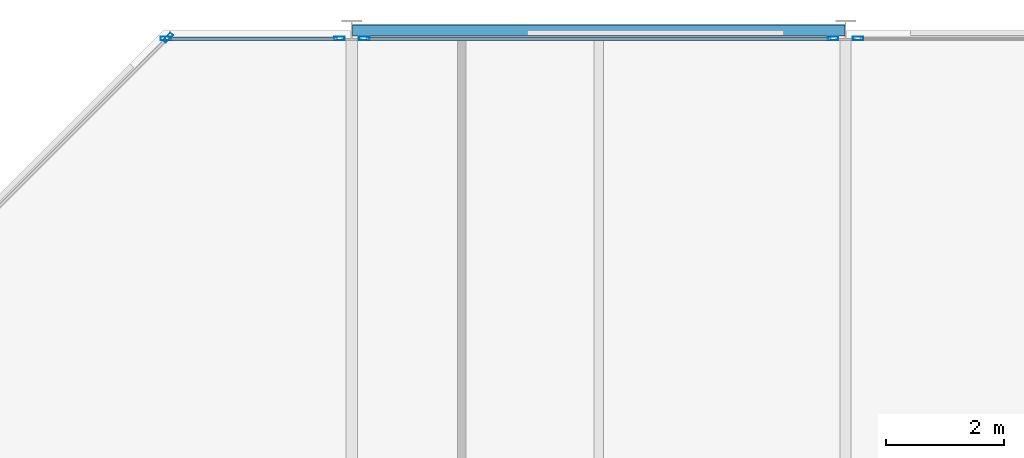
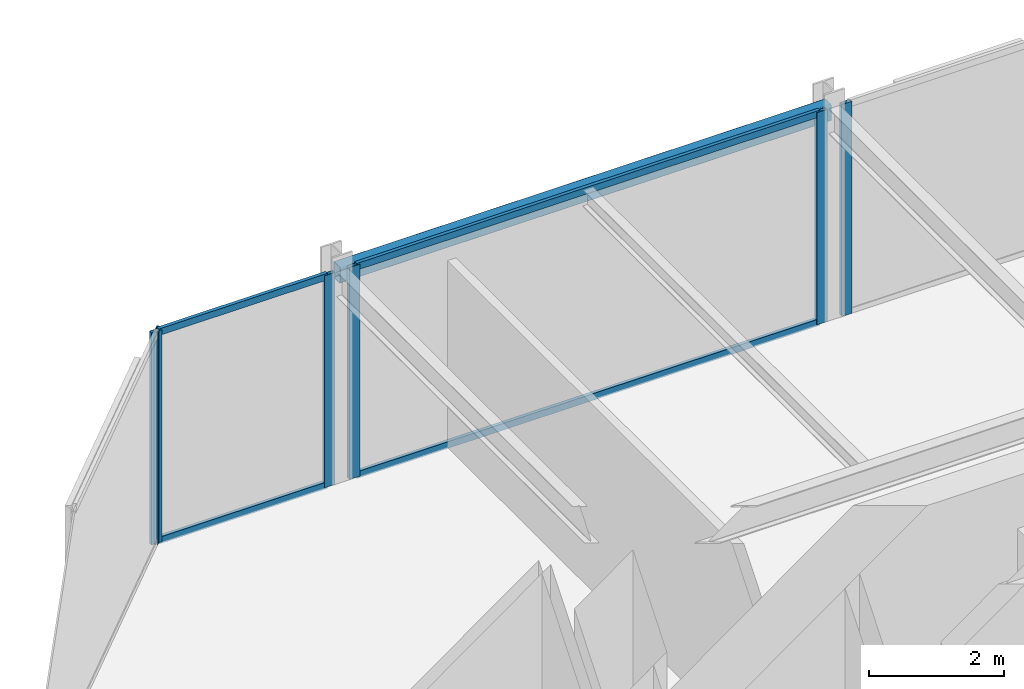
# One storey, part 20 of 29: 10 members, 1 beam, 4 elements without a shape of their own.
"""IFC4 building model written with IfcOpenShell, lengths in metres."""

from ifc_helpers import new_model, si_unit, direction, frame, origin, origin_2d, place, context, subcontext, project, spatial, hollow_rectangle, extrude, material, layer, layer_set, material_profile, profile_set, type_object, element, aggregate, save


model = new_model("IFC4")

# Units and contexts
model_context = context("Model", 3, precision=1e-05, world=origin(), true_north=direction((0.0, 1.0)))
body_context = subcontext(model_context, "Body", "Model", "MODEL_VIEW")
ifc_project = project(units=[si_unit("LENGTHUNIT", "METRE"), si_unit("AREAUNIT", "SQUARE_METRE"), si_unit("VOLUMEUNIT", "CUBIC_METRE"), si_unit("PLANEANGLEUNIT", "RADIAN"), si_unit("MASSUNIT", "GRAM", prefix="KILO")], contexts=[model_context])

# Site, building, storey
site_placement = place(None, origin())
site = spatial("IfcSite", under=ifc_project, at=site_placement, CompositionType="ELEMENT")
building_placement = place(site_placement, origin())
building = spatial("IfcBuilding", under=site, at=building_placement, Name="Nerrivon Quay Data Exchange", CompositionType="ELEMENT")
storey_placement = place(building_placement, frame((0.0, 0.0, 175.5)))
storey = spatial("IfcBuildingStorey", under=building, at=storey_placement, Name="L41", CompositionType="ELEMENT", Elevation=175.5)

# Beam
ifc_material_1 = material(Name="Steel Grade C350L0 (350 MPa)", Category="steel")
ifc_material_profile_1 = material_profile(ifc_material_1, hollow_rectangle(XDim=0.199951171875, YDim=0.300048828125, WallThickness=0.012451171875, InnerFilletRadius=0.018798828125, OuterFilletRadius=0.03125, at=origin_2d()), Name="300x200x12.5RHS")
ifc_profile_set_1 = profile_set([ifc_material_profile_1], Name="Steel Grade C350L0 (350 MPa)")
beam_type = type_object("IfcBeamType", Name="BM-SP3-300x200RHS", PredefinedType="SPANDREL", material=ifc_profile_set_1)
beam_placement = place(storey_placement, frame((8.409912109375, 50.39990234375, 3.675048828125), z_axis=(1.0, 0.0, 0.0), x_axis=(0.0, 1.0, 0.0)))
element("IfcBeam", 1, at=beam_placement, inside=storey, type_object=beam_type, Name="L41 EW Girder Y=50.4 (8.4..16.8)", PredefinedType="SPANDREL", context=body_context, shape_type="SweptSolid", body=[
    extrude(hollow_rectangle(XDim=0.199951171875, YDim=0.300048828125, WallThickness=0.012451171875, InnerFilletRadius=0.018798828125, OuterFilletRadius=0.03125, at=origin_2d()), origin(), (0.0, 0.0, 1.0), 8.380126953125),
])

# Curtain wall, member
ifc_material_2 = material(Name="Anodised aluminium 6063-T6", Category="aluminium")
ifc_layer = layer(ifc_material_2, 0.195068359375)
ifc_layer_set = layer_set([ifc_layer], Name="Anodised aluminium 6063-T6")
curtain_wall_type = type_object("IfcCurtainWallType", Name="CW-SYS-06", PredefinedType="NOTDEFINED", material=ifc_layer_set)
curtain_wall_1_placement = place(storey_placement, origin())
curtain_wall_1 = element("IfcCurtainWall", 2, at=curtain_wall_1_placement, inside=storey, type_object=curtain_wall_type, Name="L41 Unitised Curtain Wall 7", PredefinedType="NOTDEFINED")
ifc_material_profile_2 = material_profile(ifc_material_2, hollow_rectangle(XDim=0.06494140625, YDim=0.179931640625, WallThickness=0.00341796875, at=origin_2d()), Name="ALU-MULL-180x65")
ifc_profile_set_2 = profile_set([ifc_material_profile_2], Name="Anodised aluminium 6063-T6")
member_type_1 = type_object("IfcMemberType", Name="CWM-180x65", PredefinedType="MULLION", material=ifc_profile_set_2)
member_1_placement = place(storey_placement, frame((5.2724609375, 50.2744140625, 0.0), z_axis=(0.0, 0.0, 1.0), x_axis=(-0.707106781187, 0.707106781187, 0.0)))
member_1 = element("IfcMember", 3, at=member_1_placement, type_object=member_type_1, Name="CW06 mullion 2", PredefinedType="MULLION", context=body_context, shape_type="SweptSolid", body=[
    extrude(hollow_rectangle(XDim=0.06494140625, YDim=0.179931640625, WallThickness=0.00341796875, at=origin_2d()), origin(), (0.0, 0.0, 1.0), 3.824951171875),
])
aggregate(curtain_wall_1, [member_1])

# Curtain wall, members
curtain_wall_2_placement = place(storey_placement, origin())
curtain_wall_2 = element("IfcCurtainWall", 4, at=curtain_wall_2_placement, inside=storey, type_object=curtain_wall_type, Name="L41 Unitised Curtain Wall 8", PredefinedType="NOTDEFINED")
member_2_placement = place(storey_placement, frame((5.237548828125, 50.260009765625, 0.0), z_axis=(0.0, 0.0, 1.0), x_axis=(0.0, 1.0, 0.0)))
member_2 = element("IfcMember", 5, at=member_2_placement, type_object=member_type_1, Name="CW06 mullion 1", PredefinedType="MULLION", context=body_context, shape_type="SweptSolid", body=[
    extrude(hollow_rectangle(XDim=0.06494140625, YDim=0.179931640625, WallThickness=0.00341796875, at=origin_2d()), origin(), (0.0, 0.0, 1.0), 3.824951171875),
])
member_3_placement = place(storey_placement, frame((8.1875, 50.260009765625, 0.0), z_axis=(0.0, 0.0, 1.0), x_axis=(0.0, 1.0, 0.0)))
member_3 = element("IfcMember", 6, at=member_3_placement, type_object=member_type_1, Name="CW06 mullion 2", PredefinedType="MULLION", context=body_context, shape_type="SweptSolid", body=[
    extrude(hollow_rectangle(XDim=0.06494140625, YDim=0.179931640625, WallThickness=0.00341796875, at=origin_2d()), origin(), (0.0, 0.0, 1.0), 3.824951171875),
])

curtain_wall_3_placement = place(storey_placement, origin())
curtain_wall_3 = element("IfcCurtainWall", 7, at=curtain_wall_3_placement, inside=storey, type_object=curtain_wall_type, Name="L41 Unitised Curtain Wall 9", PredefinedType="NOTDEFINED")
member_4_placement = place(storey_placement, frame((8.612548828125, 50.260009765625, 0.0), z_axis=(0.0, 0.0, 1.0), x_axis=(0.0, 1.0, 0.0)))
member_4 = element("IfcMember", 8, at=member_4_placement, type_object=member_type_1, Name="CW06 mullion 1", PredefinedType="MULLION", context=body_context, shape_type="SweptSolid", body=[
    extrude(hollow_rectangle(XDim=0.06494140625, YDim=0.179931640625, WallThickness=0.00341796875, at=origin_2d()), origin(), (0.0, 0.0, 1.0), 3.824951171875),
])
member_5_placement = place(storey_placement, frame((16.58740234375, 50.260009765625, 0.0), z_axis=(0.0, 0.0, 1.0), x_axis=(0.0, 1.0, 0.0)))
member_5 = element("IfcMember", 9, at=member_5_placement, type_object=member_type_1, Name="CW06 mullion 2", PredefinedType="MULLION", context=body_context, shape_type="SweptSolid", body=[
    extrude(hollow_rectangle(XDim=0.06494140625, YDim=0.179931640625, WallThickness=0.00341796875, at=origin_2d()), origin(), (0.0, 0.0, 1.0), 3.824951171875),
])

# Curtain wall, member
curtain_wall_4_placement = place(storey_placement, origin())
curtain_wall_4 = element("IfcCurtainWall", 10, at=curtain_wall_4_placement, inside=storey, type_object=curtain_wall_type, Name="L41 Unitised Curtain Wall 10", PredefinedType="NOTDEFINED")
member_6_placement = place(storey_placement, frame((17.012451171875, 50.260009765625, 0.0), z_axis=(0.0, 0.0, 1.0), x_axis=(0.0, 1.0, 0.0)))
member_6 = element("IfcMember", 11, at=member_6_placement, type_object=member_type_1, Name="CW06 mullion 1", PredefinedType="MULLION", context=body_context, shape_type="SweptSolid", body=[
    extrude(hollow_rectangle(XDim=0.06494140625, YDim=0.179931640625, WallThickness=0.00341796875, at=origin_2d()), origin(), (0.0, 0.0, 1.0), 3.824951171875),
])
aggregate(curtain_wall_4, [member_6])

# Member
ifc_material_profile_3 = material_profile(ifc_material_2, hollow_rectangle(XDim=0.06005859375, YDim=0.1201171875, WallThickness=0.003173828125, at=origin_2d()), Name="ALU-TRAN-120x60")
ifc_profile_set_3 = profile_set([ifc_material_profile_3], Name="Anodised aluminium 6063-T6")
member_type_2 = type_object("IfcMemberType", Name="CWT-120x60", PredefinedType="USERDEFINED", material=ifc_profile_set_3)
member_7_placement = place(storey_placement, frame((5.27490234375, 50.260009765625, 0.032470703125), z_axis=(1.0, 0.0, 0.0), x_axis=(0.0, 1.0, 0.0)))
member_7 = element("IfcMember", 12, at=member_7_placement, type_object=member_type_2, Name="CW06 transom 1.1", ObjectType="TRANSOM", PredefinedType="USERDEFINED", context=body_context, shape_type="SweptSolid", body=[
    extrude(hollow_rectangle(XDim=0.06005859375, YDim=0.1201171875, WallThickness=0.003173828125, at=origin_2d()), origin(), (0.0, 0.0, 1.0), 2.875),
])

member_8_placement = place(storey_placement, frame((5.27490234375, 50.260009765625, 3.79248046875), z_axis=(1.0, 0.0, 0.0), x_axis=(0.0, 1.0, 0.0)))
member_8 = element("IfcMember", 13, at=member_8_placement, type_object=member_type_2, Name="CW06 transom 1.2", ObjectType="TRANSOM", PredefinedType="USERDEFINED", context=body_context, shape_type="SweptSolid", body=[
    extrude(hollow_rectangle(XDim=0.06005859375, YDim=0.1201171875, WallThickness=0.003173828125, at=origin_2d()), origin(), (0.0, 0.0, 1.0), 2.875),
])

aggregate(curtain_wall_2, [member_2, member_3, member_7, member_8])

member_9_placement = place(storey_placement, frame((8.64990234375, 50.260009765625, 0.032470703125), z_axis=(1.0, 0.0, 0.0), x_axis=(0.0, 1.0, 0.0)))
member_9 = element("IfcMember", 14, at=member_9_placement, type_object=member_type_2, Name="CW06 transom 1.1", ObjectType="TRANSOM", PredefinedType="USERDEFINED", context=body_context, shape_type="SweptSolid", body=[
    extrude(hollow_rectangle(XDim=0.06005859375, YDim=0.1201171875, WallThickness=0.003173828125, at=origin_2d()), origin(), (0.0, 0.0, 1.0), 7.900146484375),
])

member_10_placement = place(storey_placement, frame((8.64990234375, 50.260009765625, 3.79248046875), z_axis=(1.0, 0.0, 0.0), x_axis=(0.0, 1.0, 0.0)))
member_10 = element("IfcMember", 15, at=member_10_placement, type_object=member_type_2, Name="CW06 transom 1.2", ObjectType="TRANSOM", PredefinedType="USERDEFINED", context=body_context, shape_type="SweptSolid", body=[
    extrude(hollow_rectangle(XDim=0.06005859375, YDim=0.1201171875, WallThickness=0.003173828125, at=origin_2d()), origin(), (0.0, 0.0, 1.0), 7.900146484375),
])

aggregate(curtain_wall_3, [member_4, member_5, member_9, member_10])

save(model, "model.ifc")
